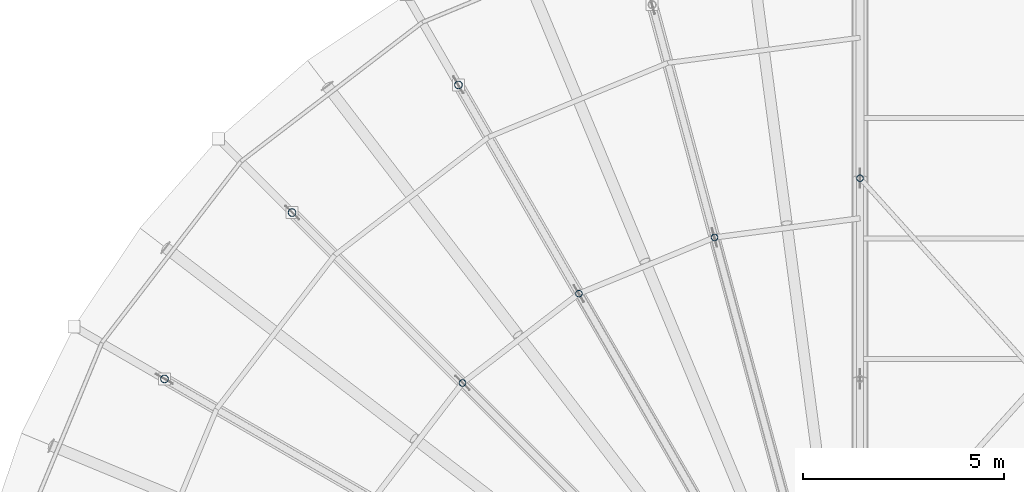
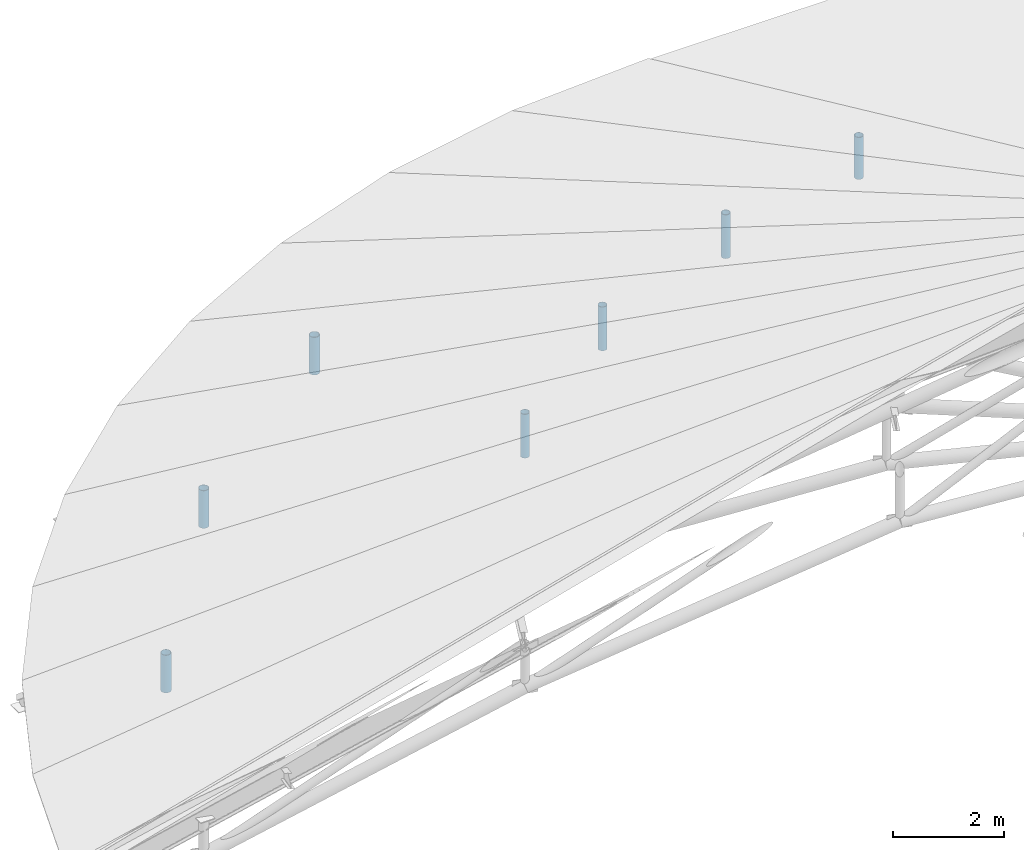
# One storey, part 76 of 107: 7 members.
"""IFC4 building model written with IfcOpenShell, lengths in metres."""

from ifc_helpers import new_model, si_unit, derived_unit, direction, frame, origin, origin_2d, place, context, subcontext, project, spatial, hollow_circle, extrude, material, material_profile, profile_set, type_object, element, save


model = new_model("IFC4")

# Units and contexts
model_context = context("Model", 3, precision=1e-05, world=origin(), true_north=direction((0.0, 1.0)))
body_context = subcontext(model_context, "Body", "Model", "MODEL_VIEW")
ifc_project = project(units=[si_unit("LENGTHUNIT", "METRE"), si_unit("AREAUNIT", "SQUARE_METRE"), si_unit("VOLUMEUNIT", "CUBIC_METRE"), si_unit("PLANEANGLEUNIT", "RADIAN"), si_unit("MASSUNIT", "GRAM", prefix="KILO"), si_unit("THERMODYNAMICTEMPERATUREUNIT", "KELVIN"), si_unit("TIMEUNIT", "SECOND"), derived_unit("THERMALTRANSMITTANCEUNIT", [(si_unit("MASSUNIT", "GRAM", prefix="KILO"), 1), (si_unit("THERMODYNAMICTEMPERATUREUNIT", "KELVIN"), -1), (si_unit("TIMEUNIT", "SECOND"), -3)])], contexts=[model_context])

# Site, building, storey
site_placement = place(None, origin())
site = spatial("IfcSite", under=ifc_project, at=site_placement, CompositionType="ELEMENT")
building_placement = place(site_placement, origin())
building = spatial("IfcBuilding", under=site, at=building_placement, Name="Cambertide Market Hall", CompositionType="ELEMENT")
storey_placement = place(building_placement, frame((0.0, 0.0, 18.300048828125)))
storey = spatial("IfcBuildingStorey", under=building, at=storey_placement, Name="RF", CompositionType="ELEMENT", Elevation=18.300048828125)

# Members
ifc_material_1 = material(Name="Steel S355", Category="steel")
ifc_material_profile_1 = material_profile(ifc_material_1, hollow_circle(Radius=0.084228515625, WallThickness=0.00634765625, at=origin_2d()), Name="CHS 168.3x6.3")
ifc_profile_set_1 = profile_set([ifc_material_profile_1], Name="Steel S355")
member_type_1 = type_object("IfcMemberType", Name="Structural Brace CHS 168.3x6.3", PredefinedType="BRACE", material=ifc_profile_set_1)
member_placement = place(storey_placement, frame((42.0, 87.0, -8.1767578125), z_axis=(0.0, 0.0, 1.0), x_axis=(1.0, 0.0, 0.0)))
element("IfcMember", 1, at=member_placement, inside=storey, type_object=member_type_1, Name="Roof Truss 1 Web Post 8", PredefinedType="BRACE", context=body_context, shape_type="SweptSolid", body=[
    extrude(hollow_circle(Radius=0.084228515625, WallThickness=0.00634765625, at=origin_2d()), origin(), (0.0, 0.0, 1.0), 0.9267578125),
])
for number, where, z_axis, x_axis, name in (
    (2, (38.37646484375, 85.52294921875, -7.756103515625), (0.0, 0.0, 1.0), (1.0, 0.0, 0.0), "RWV-W-02-V2"),
    (3, (35.0, 84.124267578125, -7.756103515625), (0.0, 0.0, 1.0), (1.0, 0.0, 0.0), "RWV-W-04-V2"),
    (4, (32.1005859375, 81.8994140625, -7.756103515625), (0.0, 0.0, 1.0), (1.0, 0.0, 0.0), "RWV-W-06-V2"),
):
    element("IfcMember", number, at=place(storey_placement, frame(where, z_axis=z_axis, x_axis=x_axis)), inside=storey, type_object=member_type_1, Name=name, PredefinedType="BRACE", context=body_context, shape_type="SweptSolid", body=[
        extrude(hollow_circle(Radius=0.084228515625, WallThickness=0.00634765625, at=origin_2d()), origin(), (0.0, 0.0, 1.0), 0.966064453125),
    ])
ifc_material_2 = material(Name="Steel S355", Category="steel")
ifc_material_profile_2 = material_profile(ifc_material_2, hollow_circle(Radius=0.096923828125, WallThickness=0.00634765625, at=origin_2d()), Name="CHS 193.7x6.3")
ifc_profile_set_2 = profile_set([ifc_material_profile_2], Name="Steel S355")
member_type_2 = type_object("IfcMemberType", Name="Structural Brace CHS 193.7x6.3", PredefinedType="BRACE", material=ifc_profile_set_2)
for number, where, z_axis, x_axis, name in (
    (5, (32.0, 89.320556640625, -10.380126953125), (0.0, 0.0, 1.0), (1.0, 0.0, 0.0), "RWV-W-04-V3"),
    (6, (27.85791015625, 86.14208984375, -10.380126953125), (0.0, 0.0, 1.0), (1.0, 0.0, 0.0), "RWV-W-06-V3"),
    (7, (24.679443359375, 82.0, -10.380126953125), (0.0, 0.0, 1.0), (1.0, 0.0, 0.0), "RWV-W-08-V3"),
):
    element("IfcMember", number, at=place(storey_placement, frame(where, z_axis=z_axis, x_axis=x_axis)), inside=storey, type_object=member_type_2, Name=name, PredefinedType="BRACE", context=body_context, shape_type="SweptSolid", body=[
        extrude(hollow_circle(Radius=0.096923828125, WallThickness=0.00634765625, at=origin_2d()), origin(), (0.0, 0.0, 1.0), 0.830078125),
    ])

save(model, "model.ifc")
